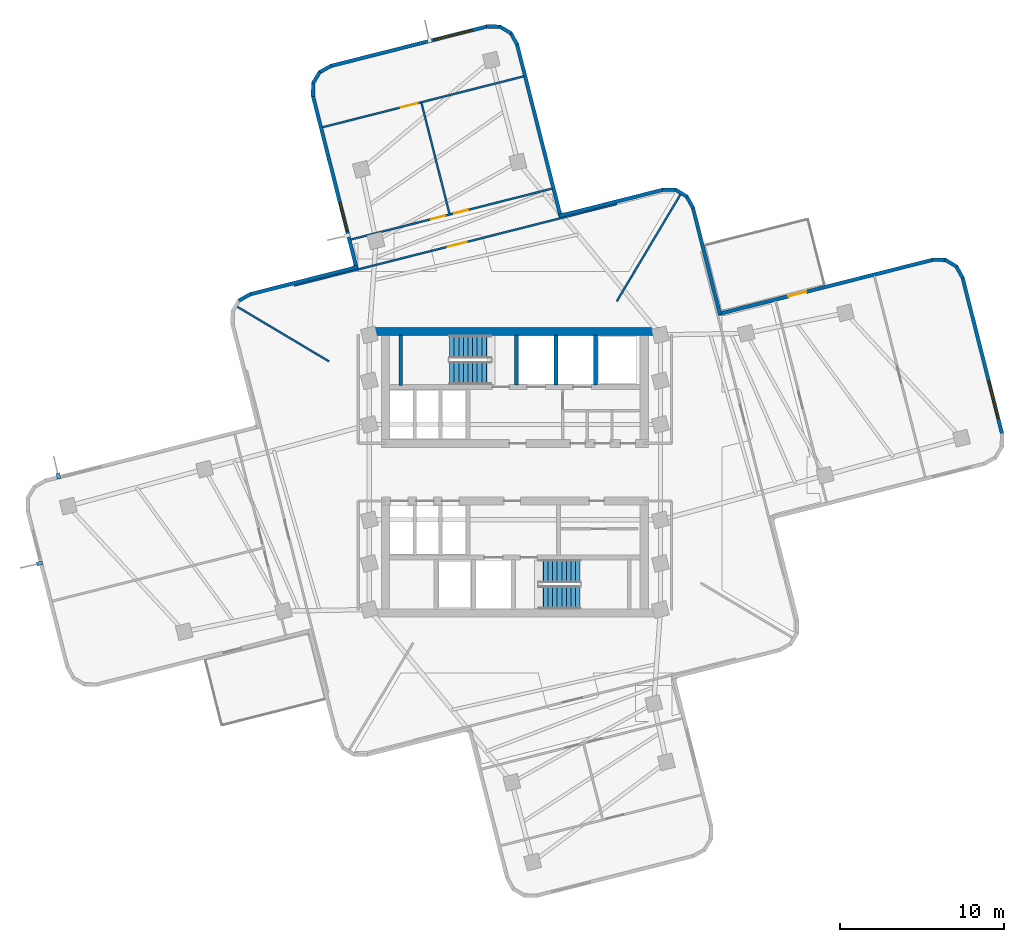
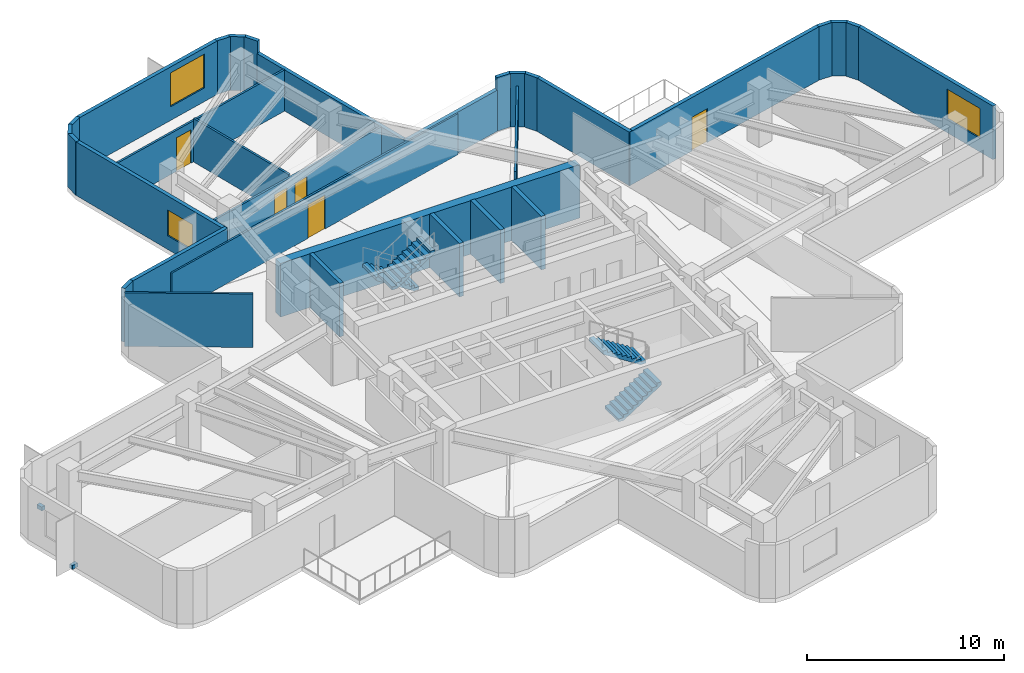
# One storey, part 5 of 9: 32 walls, 5 doors, 4 stair flights, 3 windows, 2 discrete accessories, 8 openings, 2 elements without a shape of their own.
"""IFC4 building model written with IfcOpenShell, lengths in metres."""

from ifc_helpers import new_model, si_unit, direction, frame, frame_2d, origin, origin_2d, place, context, subcontext, project, spatial, polyline, rectangle, outline, extrude, material, layer, layer_set, type_object, element, fill, aggregate, save


model = new_model("IFC4")

# Units and contexts
model_context = context("Model", 3, precision=1e-05, world=origin(), true_north=direction((0.0, 1.0)))
body_context = subcontext(model_context, "Body", "Model", "MODEL_VIEW")
ifc_project = project(units=[si_unit("LENGTHUNIT", "METRE"), si_unit("AREAUNIT", "SQUARE_METRE"), si_unit("VOLUMEUNIT", "CUBIC_METRE"), si_unit("PLANEANGLEUNIT", "RADIAN"), si_unit("MASSUNIT", "GRAM", prefix="KILO")], contexts=[model_context])

# Site, building, storey
site_placement = place(None, origin())
site = spatial("IfcSite", under=ifc_project, at=site_placement, CompositionType="ELEMENT")
building_placement = place(site_placement, origin())
building = spatial("IfcBuilding", under=site, at=building_placement, Name="Solmarez Civic Tower", CompositionType="ELEMENT")
storey_placement = place(building_placement, frame((0.0, 0.0, 130.679931640625)))
storey = spatial("IfcBuildingStorey", under=building, at=storey_placement, Name="L34", CompositionType="ELEMENT", Elevation=130.679931640625)

# Walls
ifc_material_1 = material(Name="Concrete C60/75", Category="concrete")
ifc_layer_1 = layer(ifc_material_1, 0.5)
ifc_layer_set_1 = layer_set([ifc_layer_1], Name="Concrete C60/75")
wall_type_1 = type_object("IfcWallType", Name="WALL-CORE-500", PredefinedType="SHEAR", material=ifc_layer_set_1)
wall_1_placement = place(storey_placement, frame((-8.780029296875, 8.56005859375, 0.0), z_axis=(0.0, 0.0, 1.0), x_axis=(1.0, 0.0, 0.0)))
element("IfcWall", 1, at=wall_1_placement, inside=storey, type_object=wall_type_1, Name="L34 Split-Core Structural Wall NCW-N-L34", PredefinedType="SHEAR", context=body_context, shape_type="SweptSolid", body=[
    extrude(rectangle(XDim=17.56005859375, YDim=0.5, at=frame_2d((8.780029296875, 0.0))), origin(), (0.0, 0.0, 1.0), 3.320068359375),
])
ifc_material_2 = material(Name="Precast concrete C40/50", Category="concrete")
ifc_layer_2 = layer(ifc_material_2, 0.219970703125)
ifc_layer_set_2 = layer_set([ifc_layer_2], Name="Precast concrete C40/50")
wall_type_2 = type_object("IfcWallType", Name="WALL-EXT-220", PredefinedType="SOLIDWALL", material=ifc_layer_set_2)
wall_2_placement = place(storey_placement, frame((-16.7890625, 10.430908203125, 0.0), z_axis=(0.0, 0.0, 1.0), x_axis=(0.872870149311, 0.487952561671, 0.0)))
element("IfcWall", 2, at=wall_2_placement, inside=storey, type_object=wall_type_2, Name="L34 Exterior Precast Wall 16", PredefinedType="SOLIDWALL", context=body_context, shape_type="SweptSolid", body=[
    extrude(rectangle(XDim=0.833984375, YDim=0.219970703125, at=frame_2d((0.4169921875, 0.0))), origin(), (0.0, 0.0, 1.0), 3.320068359375),
])
wall_3_placement = place(storey_placement, frame((-16.10693359375, 10.820068359375, 0.0), z_axis=(0.0, 0.0, 1.0), x_axis=(0.969443674581, 0.245314006561, 0.0)))
element("IfcWall", 3, at=wall_3_placement, inside=storey, type_object=wall_type_2, Name="L34 Exterior Precast Wall 17", PredefinedType="SOLIDWALL", context=body_context, shape_type="SweptSolid", body=[
    extrude(rectangle(XDim=6.758544921875, YDim=0.219970703125, at=frame_2d((3.37939453125, 0.0))), origin(), (0.0, 0.0, 1.0), 3.320068359375),
])

# Wall, opening, window
wall_4_placement = place(storey_placement, frame((-9.617919921875, 12.37109375, 0.0), z_axis=(0.0, 0.0, 1.0), x_axis=(-0.245359810912, 0.969432082814, 0.0)))
wall_4 = element("IfcWall", 4, at=wall_4_placement, inside=storey, type_object=wall_type_2, Name="L34 Exterior Precast Wall 20", PredefinedType="SOLIDWALL", context=body_context, shape_type="SweptSolid", body=[
    extrude(rectangle(XDim=10.857666015625, YDim=0.219970703125, at=frame_2d((5.4287109375, 0.0))), origin(), (0.0, 0.0, 1.0), 3.320068359375),
])
opening_1_placement = place(wall_4_placement, frame((2.35009765625, 0.0, 0.85009765625)))
opening_1 = element("IfcOpeningElement", 5, at=opening_1_placement, cuts=wall_4, Name="Opening W-12", PredefinedType="OPENING", context=body_context, shape_type="SweptSolid", body=[
    extrude(rectangle(XDim=1.800048828125, YDim=1.60009765625, at=frame_2d((0.89990234375, 0.800048828125))), frame((0.0, 0.119873046875, 0.0), z_axis=(0.0, -1.0, 0.0), x_axis=(1.0, 0.0, 0.0)), (0.0, 0.0, 1.0), 0.239990234375),
])
ifc_material_3 = material(Name="Solar Control Bronze-Tinted Insulating Glass", Category="glass")
window_type_1 = type_object("IfcWindowType", Name="WIN-1800X1600", PartitioningType="SINGLE_PANEL", PredefinedType="WINDOW", material=ifc_material_3)
window_1_placement = place(opening_1_placement, origin())
window_1 = element("IfcWindow", 6, at=window_1_placement, inside=storey, type_object=window_type_1, Name="L34 Exterior Facade Window 20", OverallHeight=1.60009765625, OverallWidth=1.800048828125, PartitioningType="SINGLE_PANEL", PredefinedType="WINDOW", context=body_context, shape_type="SweptSolid", body=[
    extrude(rectangle(XDim=1.800048828125, YDim=1.60009765625, at=frame_2d((0.89990234375, 0.800048828125))), frame((0.0, 0.030029296875, 0.0), z_axis=(0.0, -1.0, 0.0), x_axis=(1.0, 0.0, 0.0)), (0.0, 0.0, 1.0), 0.06005859375),
])
fill(opening_1, window_1)

# Walls
wall_5_placement = place(storey_placement, frame((-12.27587890625, 22.847900390625, 0.0), z_axis=(0.0, 0.0, 1.0), x_axis=(0.013172159236, 0.999913243347, 0.0)))
element("IfcWall", 7, at=wall_5_placement, inside=storey, type_object=wall_type_2, Name="L34 Exterior Precast Wall 21", PredefinedType="SOLIDWALL", context=body_context, shape_type="SweptSolid", body=[
    extrude(rectangle(XDim=0.833984375, YDim=0.219970703125, at=frame_2d((0.4169921875, 0.0))), origin(), (0.0, 0.0, 1.0), 3.320068359375),
])
wall_6_placement = place(storey_placement, frame((-12.278076171875, 23.635986328125, 0.0), z_axis=(0.0, 0.0, 1.0), x_axis=(0.512960801038, 0.858412031951, 0.0)))
element("IfcWall", 8, at=wall_6_placement, inside=storey, type_object=wall_type_2, Name="L34 Exterior Precast Wall 22", PredefinedType="SOLIDWALL", context=body_context, shape_type="SweptSolid", body=[
    extrude(rectangle(XDim=0.819091796875, YDim=0.219970703125, at=frame_2d((0.40966796875, 0.0))), origin(), (0.0, 0.0, 1.0), 3.320068359375),
])
wall_7_placement = place(storey_placement, frame((-11.89306640625, 24.305908203125, 0.0), z_axis=(0.0, 0.0, 1.0), x_axis=(0.872870149311, 0.487952561671, 0.0)))
element("IfcWall", 9, at=wall_7_placement, inside=storey, type_object=wall_type_2, Name="L34 Exterior Precast Wall 23", PredefinedType="SOLIDWALL", context=body_context, shape_type="SweptSolid", body=[
    extrude(rectangle(XDim=0.833984375, YDim=0.219970703125, at=frame_2d((0.4169921875, 0.0))), origin(), (0.0, 0.0, 1.0), 3.320068359375),
])

# Wall, opening, window
wall_8_placement = place(storey_placement, frame((-11.2109375, 24.695068359375, 0.0), z_axis=(0.0, 0.0, 1.0), x_axis=(0.969473357826, 0.245196673032, 0.0)))
wall_8 = element("IfcWall", 10, at=wall_8_placement, inside=storey, type_object=wall_type_2, Name="L34 Exterior Precast Wall 24", PredefinedType="SOLIDWALL", context=body_context, shape_type="SweptSolid", body=[
    extrude(rectangle(XDim=9.84033203125, YDim=0.219970703125, at=frame_2d((4.920166015625, 0.0))), origin(), (0.0, 0.0, 1.0), 3.320068359375),
])
opening_2_placement = place(wall_8_placement, frame((6.47607421875, 0.0, 0.85009765625)))
opening_2 = element("IfcOpeningElement", 11, at=opening_2_placement, cuts=wall_8, Name="Opening W-02", PredefinedType="OPENING", context=body_context, shape_type="SweptSolid", body=[
    extrude(rectangle(XDim=2.39990234375, YDim=2.10009765625, at=frame_2d((1.199951171875, 1.050048828125))), frame((0.0, 0.119873046875, 0.0), z_axis=(0.0, -1.0, 0.0), x_axis=(1.0, 0.0, 0.0)), (0.0, 0.0, 1.0), 0.239990234375),
])
window_type_2 = type_object("IfcWindowType", Name="WIN-2400X2100", PartitioningType="SINGLE_PANEL", PredefinedType="WINDOW", material=ifc_material_3)
window_2_placement = place(opening_2_placement, origin())
window_2 = element("IfcWindow", 12, at=window_2_placement, inside=storey, type_object=window_type_2, Name="L34 Exterior Facade Window 24", OverallHeight=2.10009765625, OverallWidth=2.39990234375, PartitioningType="SINGLE_PANEL", PredefinedType="WINDOW", context=body_context, shape_type="SweptSolid", body=[
    extrude(rectangle(XDim=2.39990234375, YDim=2.10009765625, at=frame_2d((1.199951171875, 1.050048828125))), frame((0.0, 0.030029296875, 0.0), z_axis=(0.0, -1.0, 0.0), x_axis=(1.0, 0.0, 0.0)), (0.0, 0.0, 1.0), 0.06005859375),
])
fill(opening_2, window_2)

# Walls
wall_9_placement = place(storey_placement, frame((-1.719970703125, 27.10205078125, 0.0), z_axis=(0.0, 0.0, 1.0), x_axis=(0.999913446142, -0.01315675587, 0.0)))
element("IfcWall", 13, at=wall_9_placement, inside=storey, type_object=wall_type_2, Name="L34 Exterior Precast Wall 25", PredefinedType="SOLIDWALL", context=body_context, shape_type="SweptSolid", body=[
    extrude(rectangle(XDim=0.8349609375, YDim=0.219970703125, at=frame_2d((0.41748046875, 0.0))), origin(), (0.0, 0.0, 1.0), 3.320068359375),
])
wall_10_placement = place(storey_placement, frame((-0.930908203125, 27.10400390625, 0.0), z_axis=(0.0, 0.0, 1.0), x_axis=(0.858676543827, -0.512517895376, 0.0)))
element("IfcWall", 14, at=wall_10_placement, inside=storey, type_object=wall_type_2, Name="L34 Exterior Precast Wall 26", PredefinedType="SOLIDWALL", context=body_context, shape_type="SweptSolid", body=[
    extrude(rectangle(XDim=0.8173828125, YDim=0.219970703125, at=frame_2d((0.40869140625, 0.0))), origin(), (0.0, 0.0, 1.0), 3.320068359375),
])
wall_11_placement = place(storey_placement, frame((-0.261962890625, 26.719970703125, 0.0), z_axis=(0.0, 0.0, 1.0), x_axis=(0.487454303052, -0.873148499647, 0.0)))
element("IfcWall", 15, at=wall_11_placement, inside=storey, type_object=wall_type_2, Name="L34 Exterior Precast Wall 27", PredefinedType="SOLIDWALL", context=body_context, shape_type="SweptSolid", body=[
    extrude(rectangle(XDim=0.8349609375, YDim=0.219970703125, at=frame_2d((0.41748046875, 0.0))), origin(), (0.0, 0.0, 1.0), 3.320068359375),
])
wall_12_placement = place(storey_placement, frame((0.126953125, 26.037109375, 0.0), z_axis=(0.0, 0.0, 1.0), x_axis=(0.245354462674, -0.969433436418, 0.0)))
element("IfcWall", 16, at=wall_12_placement, inside=storey, type_object=wall_type_2, Name="L34 Exterior Precast Wall 28", PredefinedType="SOLIDWALL", context=body_context, shape_type="SweptSolid", body=[
    extrude(rectangle(XDim=10.85791015625, YDim=0.219970703125, at=frame_2d((5.428955078125, 0.0))), origin(), (0.0, 0.0, 1.0), 2.550048828125),
])
wall_13_placement = place(storey_placement, frame((2.68408203125, 15.573974609375, 0.0), z_axis=(0.0, 0.0, 1.0), x_axis=(0.969435490349, 0.245346347134, 0.0)))
element("IfcWall", 17, at=wall_13_placement, inside=storey, type_object=wall_type_2, Name="L34 Exterior Precast Wall 31", PredefinedType="SOLIDWALL", context=body_context, shape_type="SweptSolid", body=[
    extrude(rectangle(XDim=6.53759765625, YDim=0.219970703125, at=frame_2d((3.268798828125, 0.0))), origin(), (0.0, 0.0, 1.0), 2.550048828125),
])
wall_14_placement = place(storey_placement, frame((8.972900390625, 17.172119140625, 0.0), z_axis=(0.0, 0.0, 1.0), x_axis=(0.999909345183, -0.013464821393, 0.0)))
element("IfcWall", 18, at=wall_14_placement, inside=storey, type_object=wall_type_2, Name="L34 Exterior Precast Wall 32", PredefinedType="SOLIDWALL", context=body_context, shape_type="SweptSolid", body=[
    extrude(rectangle(XDim=0.833984375, YDim=0.219970703125, at=frame_2d((0.4169921875, 0.0))), origin(), (0.0, 0.0, 1.0), 3.320068359375),
])
wall_15_placement = place(storey_placement, frame((9.760986328125, 17.174072265625, 0.0), z_axis=(0.0, 0.0, 1.0), x_axis=(0.858412031951, -0.512960801038, 0.0)))
element("IfcWall", 19, at=wall_15_placement, inside=storey, type_object=wall_type_2, Name="L34 Exterior Precast Wall 33", PredefinedType="SOLIDWALL", context=body_context, shape_type="SweptSolid", body=[
    extrude(rectangle(XDim=0.819091796875, YDim=0.219970703125, at=frame_2d((0.40966796875, 0.0))), origin(), (0.0, 0.0, 1.0), 3.320068359375),
])
wall_16_placement = place(storey_placement, frame((10.430908203125, 16.7890625, 0.0), z_axis=(0.0, 0.0, 1.0), x_axis=(0.487952561671, -0.872870149311, 0.0)))
element("IfcWall", 20, at=wall_16_placement, inside=storey, type_object=wall_type_2, Name="L34 Exterior Precast Wall 34", PredefinedType="SOLIDWALL", context=body_context, shape_type="SweptSolid", body=[
    extrude(rectangle(XDim=0.833984375, YDim=0.219970703125, at=frame_2d((0.4169921875, 0.0))), origin(), (0.0, 0.0, 1.0), 3.320068359375),
])
wall_17_placement = place(storey_placement, frame((10.820068359375, 16.10693359375, 0.0), z_axis=(0.0, 0.0, 1.0), x_axis=(0.245314006561, -0.969443674581, 0.0)))
element("IfcWall", 21, at=wall_17_placement, inside=storey, type_object=wall_type_2, Name="L34 Exterior Precast Wall 35", PredefinedType="SOLIDWALL", context=body_context, shape_type="SweptSolid", body=[
    extrude(rectangle(XDim=6.758544921875, YDim=0.219970703125, at=frame_2d((3.37939453125, 0.0))), origin(), (0.0, 0.0, 1.0), 3.320068359375),
])

# Wall, opening, door
wall_18_placement = place(storey_placement, frame((12.37109375, 9.617919921875, 0.0), z_axis=(0.0, 0.0, 1.0), x_axis=(0.969434127448, 0.245351732293, 0.0)))
wall_18 = element("IfcWall", 22, at=wall_18_placement, inside=storey, type_object=wall_type_2, Name="L34 Exterior Precast Wall 38", PredefinedType="SOLIDWALL", context=body_context, shape_type="SweptSolid", body=[
    extrude(rectangle(XDim=13.458251953125, YDim=0.219970703125, at=frame_2d((6.72900390625, 0.0))), origin(), (0.0, 0.0, 1.0), 3.320068359375),
])
opening_3_placement = place(wall_18_placement, frame((4.39990234375, 0.0, 0.0)))
opening_3 = element("IfcOpeningElement", 23, at=opening_3_placement, cuts=wall_18, Name="Opening D-06", PredefinedType="OPENING", context=body_context, shape_type="SweptSolid", body=[
    extrude(rectangle(XDim=1.10009765625, YDim=2.10009765625, at=frame_2d((0.550048828125, 1.050048828125))), frame((0.0, 0.119873046875, 0.0), z_axis=(0.0, -1.0, 0.0), x_axis=(1.0, 0.0, 0.0)), (0.0, 0.0, 1.0), 0.239990234375),
])
ifc_material_4 = material(Name="Bronze Anodised Aluminium Glazed Terrace Door", Category="aluminium")
door_type_1 = type_object("IfcDoorType", Name="DOOR-TERR-1100", OperationType="NOTDEFINED", PredefinedType="DOOR", material=ifc_material_4)
door_1_placement = place(opening_3_placement, origin())
door_1 = element("IfcDoor", 24, at=door_1_placement, inside=storey, type_object=door_type_1, Name="L34 Outdoor Terrace Glazed Door", OperationType="SINGLE_SWING_RIGHT", OverallHeight=2.10009765625, OverallWidth=1.10009765625, PredefinedType="DOOR", context=body_context, shape_type="SweptSolid", body=[
    extrude(rectangle(XDim=1.10009765625, YDim=2.10009765625, at=frame_2d((0.550048828125, 1.050048828125))), frame((0.0, 0.02490234375, 0.0), z_axis=(0.0, -1.0, 0.0), x_axis=(1.0, 0.0, 0.0)), (0.0, 0.0, 1.0), 0.050048828125),
])
fill(opening_3, door_1)

# Walls
wall_19_placement = place(storey_placement, frame((25.368896484375, 12.9140625, 0.0), z_axis=(0.0, 0.0, 1.0), x_axis=(0.999913243347, -0.013172159236, 0.0)))
element("IfcWall", 25, at=wall_19_placement, inside=storey, type_object=wall_type_2, Name="L34 Exterior Precast Wall 39", PredefinedType="SOLIDWALL", context=body_context, shape_type="SweptSolid", body=[
    extrude(rectangle(XDim=0.833984375, YDim=0.219970703125, at=frame_2d((0.4169921875, 0.0))), origin(), (0.0, 0.0, 1.0), 3.320068359375),
])
wall_20_placement = place(storey_placement, frame((26.156982421875, 12.916015625, 0.0), z_axis=(0.0, 0.0, 1.0), x_axis=(0.858543269067, -0.512741119026, 0.0)))
element("IfcWall", 26, at=wall_20_placement, inside=storey, type_object=wall_type_2, Name="L34 Exterior Precast Wall 40", PredefinedType="SOLIDWALL", context=body_context, shape_type="SweptSolid", body=[
    extrude(rectangle(XDim=0.819091796875, YDim=0.219970703125, at=frame_2d((0.40966796875, 0.0))), origin(), (0.0, 0.0, 1.0), 3.320068359375),
])
wall_21_placement = place(storey_placement, frame((26.826904296875, 12.531005859375, 0.0), z_axis=(0.0, 0.0, 1.0), x_axis=(0.486561807946, -0.873646156661, 0.0)))
element("IfcWall", 27, at=wall_21_placement, inside=storey, type_object=wall_type_2, Name="L34 Exterior Precast Wall 41", PredefinedType="SOLIDWALL", context=body_context, shape_type="SweptSolid", body=[
    extrude(rectangle(XDim=0.83447265625, YDim=0.219970703125, at=frame_2d((0.417236328125, 0.0))), origin(), (0.0, 0.0, 1.0), 3.320068359375),
])

# Wall, opening, window
wall_22_placement = place(storey_placement, frame((27.215087890625, 11.847900390625, 0.0), z_axis=(0.0, 0.0, 1.0), x_axis=(0.245295842673, -0.969448270702, 0.0)))
wall_22 = element("IfcWall", 28, at=wall_22_placement, inside=storey, type_object=wall_type_2, Name="L34 Exterior Precast Wall 42", PredefinedType="SOLIDWALL", context=body_context, shape_type="SweptSolid", body=[
    extrude(rectangle(XDim=9.84033203125, YDim=0.219970703125, at=frame_2d((4.920166015625, 0.0))), origin(), (0.0, 0.0, 1.0), 3.320068359375),
])
opening_4_placement = place(wall_22_placement, frame((6.47607421875, 0.0, 0.85009765625)))
opening_4 = element("IfcOpeningElement", 29, at=opening_4_placement, cuts=wall_22, Name="Opening W-06", PredefinedType="OPENING", context=body_context, shape_type="SweptSolid", body=[
    extrude(rectangle(XDim=2.39990234375, YDim=1.85009765625, at=frame_2d((1.199951171875, 0.925048828125))), frame((0.0, 0.119873046875, 0.0), z_axis=(0.0, -1.0, 0.0), x_axis=(1.0, 0.0, 0.0)), (0.0, 0.0, 1.0), 0.239990234375),
])
window_type_3 = type_object("IfcWindowType", Name="WIN-2400X1850", PartitioningType="SINGLE_PANEL", PredefinedType="WINDOW", material=ifc_material_3)
window_3_placement = place(opening_4_placement, origin())
window_3 = element("IfcWindow", 30, at=window_3_placement, inside=storey, type_object=window_type_3, Name="L34 Exterior Facade Window 42", OverallHeight=1.85009765625, OverallWidth=2.39990234375, PartitioningType="SINGLE_PANEL", PredefinedType="WINDOW", context=body_context, shape_type="SweptSolid", body=[
    extrude(rectangle(XDim=2.39990234375, YDim=1.85009765625, at=frame_2d((1.199951171875, 0.925048828125))), frame((0.0, 0.030029296875, 0.0), z_axis=(0.0, -1.0, 0.0), x_axis=(1.0, 0.0, 0.0)), (0.0, 0.0, 1.0), 0.06005859375),
])
fill(opening_4, window_3)

# Walls
ifc_material_5 = material(Name="Gypsum Board Acoustic Steel-Stud Partition", Category="steel")
ifc_layer_3 = layer(ifc_material_5, 0.1201171875)
ifc_layer_set_3 = layer_set([ifc_layer_3], Name="Gypsum Board Acoustic Steel-Stud Partition")
wall_type_3 = type_object("IfcWallType", Name="WALL-INT-PART-120", PredefinedType="PARTITIONING", material=ifc_layer_set_3)
wall_23_placement = place(storey_placement, frame((6.18798828125, 10.3798828125, 0.0), z_axis=(0.0, 0.0, 1.0), x_axis=(0.511972353143, 0.859001926434, 0.0)))
element("IfcWall", 31, at=wall_23_placement, inside=storey, type_object=wall_type_3, Name="L34 Interior Partition PT-L34-QDIV-1", PredefinedType="PARTITIONING", context=body_context, shape_type="SweptSolid", body=[
    extrude(rectangle(XDim=7.59033203125, YDim=0.1201171875, at=frame_2d((3.795166015625, 0.0))), origin(), (0.0, 0.0, 1.0), 2.550048828125),
])
wall_24_placement = place(storey_placement, frame((-11.300048828125, 6.736083984375, 0.0), z_axis=(0.0, 0.0, 1.0), x_axis=(-0.858979599017, 0.512009812868, 0.0)))
element("IfcWall", 32, at=wall_24_placement, inside=storey, type_object=wall_type_3, Name="L34 Interior Partition PT-L34-QDIV-2", PredefinedType="PARTITIONING", context=body_context, shape_type="SweptSolid", body=[
    extrude(rectangle(XDim=6.519287109375, YDim=0.1201171875, at=frame_2d((3.259765625, 0.0))), origin(), (0.0, 0.0, 1.0), 3.320068359375),
])

# Wall, opening, door
wall_25_placement = place(storey_placement, frame((-13.43310546875, 11.342041015625, 0.0), z_axis=(0.0, 0.0, 1.0), x_axis=(0.969459652587, 0.24525085526, 0.0)))
wall_25 = element("IfcWall", 33, at=wall_25_placement, inside=storey, type_object=wall_type_3, Name="L34 Interior Partition PT-L34-N-ENT", PredefinedType="PARTITIONING", context=body_context, shape_type="SweptSolid", body=[
    extrude(rectangle(XDim=20.2607421875, YDim=0.1201171875, at=frame_2d((10.13037109375, 0.0))), origin(), (0.0, 0.0, 1.0), 2.550048828125),
])
opening_5_placement = place(wall_25_placement, frame((9.639892578125, 0.0, 0.0)))
opening_5 = element("IfcOpeningElement", 34, at=opening_5_placement, cuts=wall_25, Name="Opening D-11", PredefinedType="OPENING", context=body_context, shape_type="SweptSolid", body=[
    extrude(rectangle(XDim=1.199951171875, YDim=2.10009765625, at=frame_2d((0.60009765625, 1.050048828125))), frame((0.0, 0.070068359375, 0.0), z_axis=(0.0, -1.0, 0.0), x_axis=(1.0, 0.0, 0.0)), (0.0, 0.0, 1.0), 0.14013671875),
])
ifc_material_6 = material(Name="Glazed-Vision Acoustic Chamber Door", Category="wood")
door_type_2 = type_object("IfcDoorType", Name="DOOR-INT-1200", OperationType="NOTDEFINED", PredefinedType="DOOR", material=ifc_material_6)
door_2_placement = place(opening_5_placement, origin())
door_2 = element("IfcDoor", 35, at=door_2_placement, inside=storey, type_object=door_type_2, Name="L34 Directorate Office First North Door", OperationType="SINGLE_SWING_LEFT", OverallHeight=2.10009765625, OverallWidth=1.199951171875, PredefinedType="DOOR", context=body_context, shape_type="SweptSolid", body=[
    extrude(rectangle(XDim=1.199951171875, YDim=2.10009765625, at=frame_2d((0.60009765625, 1.050048828125))), frame((0.0, 0.02490234375, 0.0), z_axis=(0.0, -1.0, 0.0), x_axis=(1.0, 0.0, 0.0)), (0.0, 0.0, 1.0), 0.050048828125),
])
fill(opening_5, door_2)

# Wall
wall_26_placement = place(storey_placement, frame((-3.97900390625, 15.72412109375, 0.0), z_axis=(0.0, 0.0, 1.0), x_axis=(-0.245224196517, 0.969466396242, 0.0)))
element("IfcWall", 36, at=wall_26_placement, inside=storey, type_object=wall_type_3, Name="L34 Interior Partition PT-L34-N-MM", PredefinedType="PARTITIONING", context=body_context, shape_type="SweptSolid", body=[
    extrude(rectangle(XDim=6.920166015625, YDim=0.1201171875, at=frame_2d((3.4599609375, 0.0))), origin(), (0.0, 0.0, 1.0), 2.699951171875),
])

# Wall, openings, doors
wall_27_placement = place(storey_placement, frame((2.27392578125, 17.2451171875, 0.0), z_axis=(0.0, 0.0, 1.0), x_axis=(-0.969444849394, -0.24530936383, 0.0)))
wall_27 = element("IfcWall", 37, at=wall_27_placement, inside=storey, type_object=wall_type_3, Name="L34 Interior Partition PT-L34-N-S1", PredefinedType="PARTITIONING", context=body_context, shape_type="SweptSolid", body=[
    extrude(rectangle(XDim=12.6494140625, YDim=0.1201171875, at=frame_2d((6.32470703125, 0.0))), origin(), (0.0, 0.0, 1.0), 2.550048828125),
])
opening_6_placement = place(wall_27_placement, frame((5.284912109375, 0.0, 0.0)))
opening_6 = element("IfcOpeningElement", 38, at=opening_6_placement, cuts=wall_27, Name="Opening D-14", PredefinedType="OPENING", context=body_context, shape_type="SweptSolid", body=[
    extrude(rectangle(XDim=0.860107421875, YDim=2.0400390625, at=frame_2d((0.43017578125, 1.02001953125))), frame((0.0, 0.070068359375, 0.0), z_axis=(0.0, -1.0, 0.0), x_axis=(1.0, 0.0, 0.0)), (0.0, 0.0, 1.0), 0.14013671875),
])
opening_7_placement = place(wall_27_placement, frame((6.72509765625, 0.0, 0.0)))
opening_7 = element("IfcOpeningElement", 39, at=opening_7_placement, cuts=wall_27, Name="Opening D-14", PredefinedType="OPENING", context=body_context, shape_type="SweptSolid", body=[
    extrude(rectangle(XDim=0.860107421875, YDim=2.0400390625, at=frame_2d((0.43017578125, 1.02001953125))), frame((0.0, 0.070068359375, 0.0), z_axis=(0.0, -1.0, 0.0), x_axis=(1.0, 0.0, 0.0)), (0.0, 0.0, 1.0), 0.14013671875),
])
ifc_material_7 = material(Name="Timber Storage and Pantry Door", Category="wood")
door_type_3 = type_object("IfcDoorType", Name="DOOR-INT-850", OperationType="NOTDEFINED", PredefinedType="DOOR", material=ifc_material_7)
door_3_placement = place(opening_6_placement, origin())
door_3 = element("IfcDoor", 40, at=door_3_placement, inside=storey, type_object=door_type_3, Name="L34 Staff Pantry Third North Door", OperationType="SINGLE_SWING_RIGHT", OverallHeight=2.0400390625, OverallWidth=0.860107421875, PredefinedType="DOOR", context=body_context, shape_type="SweptSolid", body=[
    extrude(rectangle(XDim=0.860107421875, YDim=2.0400390625, at=frame_2d((0.43017578125, 1.02001953125))), frame((0.0, 0.02490234375, 0.0), z_axis=(0.0, -1.0, 0.0), x_axis=(1.0, 0.0, 0.0)), (0.0, 0.0, 1.0), 0.050048828125),
])
fill(opening_6, door_3)
door_4_placement = place(opening_7_placement, origin())
door_4 = element("IfcDoor", 41, at=door_4_placement, inside=storey, type_object=door_type_3, Name="L34 Policy Boardroom Second North Door", OperationType="SINGLE_SWING_LEFT", OverallHeight=2.0400390625, OverallWidth=0.860107421875, PredefinedType="DOOR", context=body_context, shape_type="SweptSolid", body=[
    extrude(rectangle(XDim=0.860107421875, YDim=2.0400390625, at=frame_2d((0.43017578125, 1.02001953125))), frame((0.0, 0.02490234375, 0.0), z_axis=(0.0, -1.0, 0.0), x_axis=(1.0, 0.0, 0.0)), (0.0, 0.0, 1.0), 0.050048828125),
])
fill(opening_7, door_4)

# Wall, opening, door
wall_28_placement = place(storey_placement, frame((-11.716064453125, 20.966064453125, 0.0), z_axis=(0.0, 0.0, 1.0), x_axis=(0.96942764939, 0.245377326983, 0.0)))
wall_28 = element("IfcWall", 42, at=wall_28_placement, inside=storey, type_object=wall_type_3, Name="L34 Interior Partition PT-L34-N-S2", PredefinedType="PARTITIONING", context=body_context, shape_type="SweptSolid", body=[
    extrude(rectangle(XDim=12.64990234375, YDim=0.1201171875, at=frame_2d((6.324951171875, 0.0))), origin(), (0.0, 0.0, 1.0), 2.550048828125),
])
opening_8_placement = place(wall_28_placement, frame((4.93994140625, 0.0, 0.0)))
opening_8 = element("IfcOpeningElement", 43, at=opening_8_placement, cuts=wall_28, Name="Opening D-13", PredefinedType="OPENING", context=body_context, shape_type="SweptSolid", body=[
    extrude(rectangle(XDim=1.050048828125, YDim=2.080078125, at=frame_2d((0.52490234375, 1.0400390625))), frame((0.0, 0.070068359375, 0.0), z_axis=(0.0, -1.0, 0.0), x_axis=(1.0, 0.0, 0.0)), (0.0, 0.0, 1.0), 0.14013671875),
])
ifc_material_8 = material(Name="Timber Directorate Office Door", Category="wood")
door_type_4 = type_object("IfcDoorType", Name="DOOR-INT-1050", OperationType="NOTDEFINED", PredefinedType="DOOR", material=ifc_material_8)
door_5_placement = place(opening_8_placement, origin())
door_5 = element("IfcDoor", 44, at=door_5_placement, inside=storey, type_object=door_type_4, Name="L34 Ministry Open Workspace Fourth North Door", OperationType="SINGLE_SWING_LEFT", OverallHeight=2.080078125, OverallWidth=1.050048828125, PredefinedType="DOOR", context=body_context, shape_type="SweptSolid", body=[
    extrude(rectangle(XDim=1.050048828125, YDim=2.080078125, at=frame_2d((0.52490234375, 1.0400390625))), frame((0.0, 0.02490234375, 0.0), z_axis=(0.0, -1.0, 0.0), x_axis=(1.0, 0.0, 0.0)), (0.0, 0.0, 1.0), 0.050048828125),
])
fill(opening_8, door_5)

# Walls
ifc_material_9 = material(Name="Concrete C50/60", Category="concrete")
ifc_layer_4 = layer(ifc_material_9, 0.300048828125)
ifc_layer_set_4 = layer_set([ifc_layer_4], Name="Concrete C50/60")
wall_type_4 = type_object("IfcWallType", Name="WALL-STR-300", PredefinedType="SOLIDWALL", material=ifc_layer_set_4)
wall_29_placement = place(storey_placement, frame((-6.949951171875, 5.280029296875, 0.0), z_axis=(0.0, 0.0, 1.0), x_axis=(0.0, 1.0, 0.0)))
element("IfcWall", 45, at=wall_29_placement, inside=storey, type_object=wall_type_4, Name="L34 Split-Core Structural Wall SHW-NW-L34", PredefinedType="SOLIDWALL", context=body_context, shape_type="SweptSolid", body=[
    extrude(rectangle(XDim=3.06005859375, YDim=0.219970703125, at=frame_2d((1.530029296875, 0.0))), origin(), (0.0, 0.0, 1.0), 3.320068359375),
])
for number, where, z_axis, x_axis, name in (
    (46, (0.10009765625, 5.300048828125, 0.0), (0.0, 0.0, 1.0), (0.0, 1.0, 0.0), "L34 Split-Core Structural Wall SHW-N1-L34"),
    (47, (2.5, 5.300048828125, 0.0), (0.0, 0.0, 1.0), (0.0, 1.0, 0.0), "L34 Split-Core Structural Wall SHW-N2-L34"),
    (48, (4.89990234375, 5.300048828125, 0.0), (0.0, 0.0, 1.0), (0.0, 1.0, 0.0), "L34 Split-Core Structural Wall SHW-N3-L34"),
):
    element("IfcWall", number, at=place(storey_placement, frame(where, z_axis=z_axis, x_axis=x_axis)), inside=storey, type_object=wall_type_4, Name=name, PredefinedType="SOLIDWALL", context=body_context, shape_type="SweptSolid", body=[
        extrude(rectangle(XDim=3.0400390625, YDim=0.25, at=frame_2d((1.52001953125, 0.0))), origin(), (0.0, 0.0, 1.0), 3.320068359375),
    ])

# Stair, stair flights
stair_type = type_object("IfcStairType", Name="STAIR-DOGLEG-140W-20R-1800", PredefinedType="HALF_TURN_STAIR", material=ifc_material_9)
stair_1_placement = place(storey_placement, origin())
stair_1 = element("IfcStair", 49, at=stair_1_placement, inside=storey, type_object=stair_type, Name="L34 North Core Protected Exit Stair ST-1", PredefinedType="HALF_TURN_STAIR")
stair_flight_type = type_object("IfcStairFlightType", Name="FLIGHT-DOGLEG-140W-10R-1800", PredefinedType="STRAIGHT", material=ifc_material_9)
stair_flight_1_placement = place(storey_placement, frame((-1.449951171875, 7.6201171875, 0.0), z_axis=(0.0, 0.0, 1.0), x_axis=(-1.0, 0.0, 0.0)))
stair_flight_1 = element("IfcStairFlight", 50, at=stair_flight_1_placement, type_object=stair_flight_type, Name="ST-1 flight 1", NumberOfRisers=10, NumberOfTreads=9, PredefinedType="STRAIGHT", RiserHeight=0.18, TreadLength=0.28, context=body_context, shape_type="SweptSolid", body=[
    extrude(outline(polyline([(0.0, 0.0), (0.0, 0.179931640625), (0.280029296875, 0.179931640625), (0.280029296875, 0.360107421875), (0.56005859375, 0.360107421875), (0.56005859375, 0.5400390625), (0.840087890625, 0.5400390625), (0.840087890625, 0.719970703125), (1.1201171875, 0.719970703125), (1.1201171875, 0.89990234375), (1.39990234375, 0.89990234375), (1.39990234375, 1.080078125), (1.679931640625, 1.080078125), (1.679931640625, 1.260009765625), (1.9599609375, 1.260009765625), (1.9599609375, 1.43994140625), (2.239990234375, 1.43994140625), (2.239990234375, 1.6201171875), (2.52001953125, 1.6201171875), (2.52001953125, 1.800048828125), (2.52001953125, 1.429931640625), (0.295654296875, 0.0), (0.0, 0.0)])), frame((0.0, 0.699951171875, 0.0), z_axis=(0.0, -1.0, 0.0), x_axis=(1.0, 0.0, 0.0)), (0.0, 0.0, 1.0), 1.39990234375),
])
stair_flight_2_placement = place(storey_placement, frame((-3.969970703125, 6.02001953125, 1.800048828125), z_axis=(0.0, 0.0, 1.0), x_axis=(1.0, 0.0, 0.0)))
stair_flight_2 = element("IfcStairFlight", 51, at=stair_flight_2_placement, type_object=stair_flight_type, Name="ST-1 flight 2", NumberOfRisers=10, NumberOfTreads=9, PredefinedType="STRAIGHT", RiserHeight=0.18, TreadLength=0.28, context=body_context, shape_type="SweptSolid", body=[
    extrude(outline(polyline([(0.0, 0.0), (0.0, 0.179931640625), (0.280029296875, 0.179931640625), (0.280029296875, 0.360107421875), (0.56005859375, 0.360107421875), (0.56005859375, 0.5400390625), (0.840087890625, 0.5400390625), (0.840087890625, 0.719970703125), (1.1201171875, 0.719970703125), (1.1201171875, 0.89990234375), (1.39990234375, 0.89990234375), (1.39990234375, 1.080078125), (1.679931640625, 1.080078125), (1.679931640625, 1.260009765625), (1.9599609375, 1.260009765625), (1.9599609375, 1.43994140625), (2.239990234375, 1.43994140625), (2.239990234375, 1.6201171875), (2.52001953125, 1.6201171875), (2.52001953125, 1.800048828125), (2.52001953125, 1.429931640625), (0.295654296875, 0.0), (0.0, 0.0)])), frame((0.0, 0.699951171875, 0.0), z_axis=(0.0, -1.0, 0.0), x_axis=(1.0, 0.0, 0.0)), (0.0, 0.0, 1.0), 1.39990234375),
])
aggregate(stair_1, [stair_flight_1, stair_flight_2])

stair_2_placement = place(storey_placement, origin())
stair_2 = element("IfcStair", 52, at=stair_2_placement, inside=storey, type_object=stair_type, Name="L34 South Core Protected Exit Stair ST-2", PredefinedType="HALF_TURN_STAIR")
stair_flight_3_placement = place(storey_placement, frame((1.449951171875, -7.6201171875, 0.0), z_axis=(0.0, 0.0, 1.0), x_axis=(1.0, 0.0, 0.0)))
stair_flight_3 = element("IfcStairFlight", 53, at=stair_flight_3_placement, type_object=stair_flight_type, Name="ST-2 flight 1", NumberOfRisers=10, NumberOfTreads=9, PredefinedType="STRAIGHT", RiserHeight=0.18, TreadLength=0.28, context=body_context, shape_type="SweptSolid", body=[
    extrude(outline(polyline([(0.0, 0.0), (0.0, 0.179931640625), (0.280029296875, 0.179931640625), (0.280029296875, 0.360107421875), (0.56005859375, 0.360107421875), (0.56005859375, 0.5400390625), (0.840087890625, 0.5400390625), (0.840087890625, 0.719970703125), (1.1201171875, 0.719970703125), (1.1201171875, 0.89990234375), (1.39990234375, 0.89990234375), (1.39990234375, 1.080078125), (1.679931640625, 1.080078125), (1.679931640625, 1.260009765625), (1.9599609375, 1.260009765625), (1.9599609375, 1.43994140625), (2.239990234375, 1.43994140625), (2.239990234375, 1.6201171875), (2.52001953125, 1.6201171875), (2.52001953125, 1.800048828125), (2.52001953125, 1.429931640625), (0.295654296875, 0.0), (0.0, 0.0)])), frame((0.0, 0.699951171875, 0.0), z_axis=(0.0, -1.0, 0.0), x_axis=(1.0, 0.0, 0.0)), (0.0, 0.0, 1.0), 1.39990234375),
])
stair_flight_4_placement = place(storey_placement, frame((3.969970703125, -6.02001953125, 1.800048828125), z_axis=(0.0, 0.0, 1.0), x_axis=(-1.0, 0.0, 0.0)))
stair_flight_4 = element("IfcStairFlight", 54, at=stair_flight_4_placement, type_object=stair_flight_type, Name="ST-2 flight 2", NumberOfRisers=10, NumberOfTreads=9, PredefinedType="STRAIGHT", RiserHeight=0.18, TreadLength=0.28, context=body_context, shape_type="SweptSolid", body=[
    extrude(outline(polyline([(0.0, 0.0), (0.0, 0.179931640625), (0.280029296875, 0.179931640625), (0.280029296875, 0.360107421875), (0.56005859375, 0.360107421875), (0.56005859375, 0.5400390625), (0.840087890625, 0.5400390625), (0.840087890625, 0.719970703125), (1.1201171875, 0.719970703125), (1.1201171875, 0.89990234375), (1.39990234375, 0.89990234375), (1.39990234375, 1.080078125), (1.679931640625, 1.080078125), (1.679931640625, 1.260009765625), (1.9599609375, 1.260009765625), (1.9599609375, 1.43994140625), (2.239990234375, 1.43994140625), (2.239990234375, 1.6201171875), (2.52001953125, 1.6201171875), (2.52001953125, 1.800048828125), (2.52001953125, 1.429931640625), (0.295654296875, 0.0), (0.0, 0.0)])), frame((0.0, 0.699951171875, 0.0), z_axis=(0.0, -1.0, 0.0), x_axis=(1.0, 0.0, 0.0)), (0.0, 0.0, 1.0), 1.39990234375),
])
aggregate(stair_2, [stair_flight_3, stair_flight_4])

# Discrete accessories
ifc_material_10 = material(Name="Stainless Steel Grade 1.4401", Category="steel")
discrete_accessory_type = type_object("IfcDiscreteAccessoryType", Name="BRACKET-SS-FIN", PredefinedType="BRACKET", material=ifc_material_10)
for number, where, z_axis, x_axis, name in (
    (55, (-28.89404296875, -5.541015625, -0.06005859375), (0.0, 0.0, 1.0), (-0.969441591109, -0.24532223998, 0.0), "L34 Stainless Fin Support Bracket FIN-L34-01"),
    (56, (-27.7529296875, -0.22509765625, -0.06005859375), (0.0, 0.0, 1.0), (-0.245338073059, 0.969437584328, 0.0), "L34 Stainless Fin Support Bracket FIN-L34-02"),
):
    element("IfcDiscreteAccessory", number, at=place(storey_placement, frame(where, z_axis=z_axis, x_axis=x_axis)), inside=storey, type_object=discrete_accessory_type, Name=name, PredefinedType="BRACKET", context=body_context, shape_type="SweptSolid", body=[
        extrude(rectangle(XDim=0.360107421875, YDim=0.219970703125, at=origin_2d()), origin(), (0.0, 0.0, 1.0), 0.239990234375),
    ])

save(model, "model.ifc")
